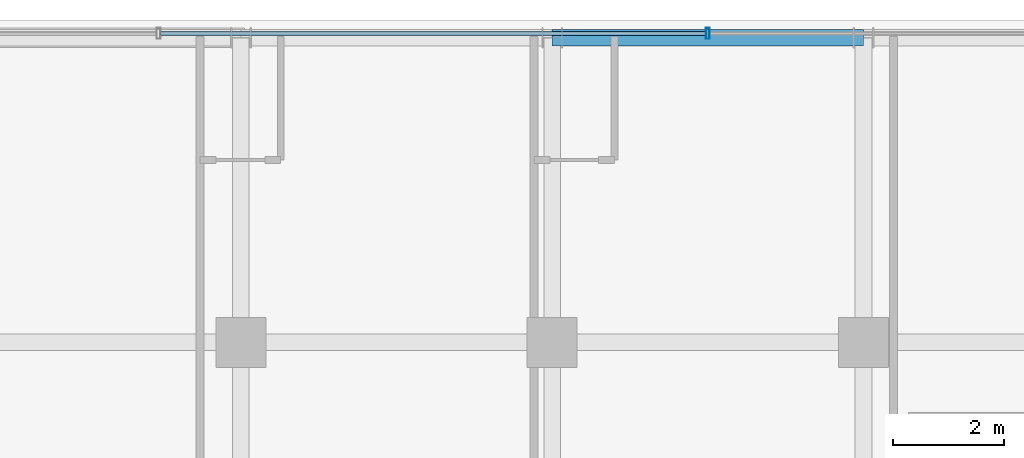
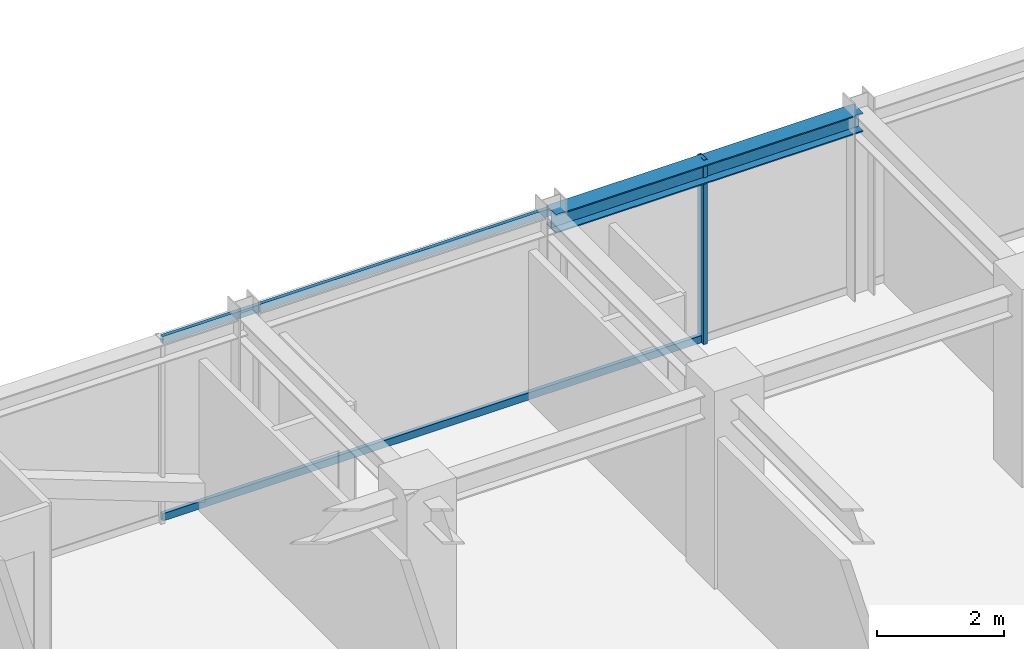
# One storey, part 25 of 37: 3 members, 1 beam, 1 element without a shape of its own.
"""IFC4 building model written with IfcOpenShell, lengths in metres."""

import ifcopenshell
import ifcopenshell.guid

model = None  # the IFC model being written
_history = None  # IfcOwnerHistory: only IFC2X3 demands one
_inside = {}  # id of a spatial element -> (the spatial element, [elements in it])
_under = {}  # id of a project, library or spatial element -> (it, [spatial elements below it])
_declared = {}  # id of a project -> (the project, [libraries it declares])
_typed = {}  # id of a type object -> (the type object, [elements of that type])
_made_of = {}  # id of a material, layer set ... -> (it, [elements and type objects made of it])


def new_model(schema):
    """Start an empty IFC model of exactly this schema.

    Asked for "IFC4X3", IfcOpenShell would pick the latest addendum, in which some entities
    have other attributes; the version numbers below select the first issue.
    IFC2X3 requires an IfcOwnerHistory on every rooted entity: one is made here for all.
    """
    global model, _history
    if schema == "IFC4X3":
        model = ifcopenshell.file(schema_version=(4, 3, 0, 0))
    else:
        model = ifcopenshell.file(schema=schema)
    _inside.clear()
    _under.clear()
    _declared.clear()
    _typed.clear()
    _made_of.clear()
    _history = None
    if model.schema == "IFC2X3":
        org = make("IfcOrganization", Name="unknown")
        user = make(
            "IfcPersonAndOrganization",
            ThePerson=make("IfcPerson", FamilyName="unknown"),
            TheOrganization=org,
        )
        app = make(
            "IfcApplication",
            ApplicationDeveloper=org,
            Version="unknown",
            ApplicationFullName="unknown",
            ApplicationIdentifier="unknown",
        )
        _history = make(
            "IfcOwnerHistory",
            OwningUser=user,
            OwningApplication=app,
            ChangeAction="ADDED",
            CreationDate=0,
        )
    return model


def make(cls, **values):
    """One entity of the class cls with the attributes given. An attribute that is None is left unset."""
    return model.create_entity(
        cls, **{name: value for name, value in values.items() if value is not None}
    )


def rooted(cls, **values):
    """An entity with a GlobalId (a new one), such as an element, a storey or a relation."""
    return make(cls, GlobalId=ifcopenshell.guid.new(), OwnerHistory=_history, **values)


def si_unit(unit_type, name, prefix=None):
    """IfcSIUnit, for example si_unit("LENGTHUNIT", "METRE", prefix="MILLI")."""
    return make("IfcSIUnit", UnitType=unit_type, Prefix=prefix, Name=name)


def assignment(units):
    """IfcUnitAssignment: the units of a project."""
    return None if units is None else make("IfcUnitAssignment", Units=units)


def point(xyz):
    """IfcCartesianPoint."""
    return None if xyz is None else make("IfcCartesianPoint", Coordinates=xyz)


def direction(xyz):
    """IfcDirection."""
    return None if xyz is None else make("IfcDirection", DirectionRatios=xyz)


def frame(location, z_axis=None, x_axis=None):
    """IfcAxis2Placement3D, a coordinate frame: its origin and axes. An axis left out is left unset."""
    return make(
        "IfcAxis2Placement3D",
        Location=point(location),
        Axis=direction(z_axis),
        RefDirection=direction(x_axis),
    )


def frame_2d(location, x_axis=None):
    """IfcAxis2Placement2D, a coordinate frame in the plane: its origin and x axis."""
    return make(
        "IfcAxis2Placement2D", Location=point(location), RefDirection=direction(x_axis)
    )


def origin():
    """The frame at (0, 0, 0) with its axes left unset."""
    return frame((0.0, 0.0, 0.0))


def origin_2d():
    """The frame at (0, 0) in the plane with its x axis left unset."""
    return frame_2d((0.0, 0.0))


def place(relative_to, where):
    """IfcLocalPlacement: puts the frame where relative to a parent placement (None: the world)."""
    return make(
        "IfcLocalPlacement", PlacementRelTo=relative_to, RelativePlacement=where
    )


def context(
    kind, dimensions, precision=None, world=None, true_north=None, identifier=None
):
    """IfcGeometricRepresentationContext, for example the 3D "Model" context."""
    return make(
        "IfcGeometricRepresentationContext",
        ContextIdentifier=identifier,
        ContextType=kind,
        CoordinateSpaceDimension=dimensions,
        Precision=precision,
        WorldCoordinateSystem=world,
        TrueNorth=true_north,
    )


def subcontext(parent, identifier, kind, view, scale=None):
    """IfcGeometricRepresentationSubContext, for example "Body" below "Model"."""
    return make(
        "IfcGeometricRepresentationSubContext",
        ContextIdentifier=identifier,
        ContextType=kind,
        ParentContext=parent,
        TargetScale=scale,
        TargetView=view,
    )


def project(units=None, contexts=None):
    """IfcProject with its units and contexts."""
    return rooted(
        "IfcProject",
        Name="project",
        RepresentationContexts=contexts,
        UnitsInContext=assignment(units),
    )


def spatial(cls, under=None, at=None, **own):
    """A site, building, storey or space (cls), placed at a placement, below another one or the project."""
    s = rooted(cls, ObjectPlacement=at, **own)
    if under is not None:
        _under.setdefault(under.id(), (under, []))[1].append(s)
    return s


def profile(cls, at=None, kind="AREA", **sizes):
    """A parametric profile (cls). Its sizes go by their IFC names, for example OverallWidth=200.0."""
    return make(cls, ProfileType=kind, Position=at, **sizes)


def hollow_rectangle(**sizes):
    """IfcRectangleHollowProfileDef."""
    return profile("IfcRectangleHollowProfileDef", **sizes)


def i_section(**sizes):
    """IfcIShapeProfileDef."""
    return profile("IfcIShapeProfileDef", **sizes)


def extrude(swept, where, along, depth):
    """IfcExtrudedAreaSolid: the profile swept, set in the frame where, extruded along a direction by depth."""
    return make(
        "IfcExtrudedAreaSolid",
        SweptArea=swept,
        Position=where,
        ExtrudedDirection=direction(along),
        Depth=depth,
    )


def shape(context_of_items, identifier, shape_type, items):
    """IfcShapeRepresentation: the items that make up one representation, for example the "Body"."""
    return make(
        "IfcShapeRepresentation",
        ContextOfItems=context_of_items,
        RepresentationIdentifier=identifier,
        RepresentationType=shape_type,
        Items=items,
    )


def source(mapping_origin, context_of_items, identifier, shape_type, items):
    """IfcRepresentationMap: a shape defined once, which mapped items show again and again."""
    return make(
        "IfcRepresentationMap",
        MappingOrigin=mapping_origin,
        MappedRepresentation=shape(context_of_items, identifier, shape_type, items),
    )


def transform(
    local_origin,
    x_axis=None,
    y_axis=None,
    z_axis=None,
    scale=None,
    scale2=None,
    scale3=None,
    uniform=True,
):
    """IfcCartesianTransformationOperator3D, or its non-uniform kind. x_axis, y_axis, z_axis: its Axis1, 2, 3."""
    if uniform:
        return make(
            "IfcCartesianTransformationOperator3D",
            Axis1=direction(x_axis),
            Axis2=direction(y_axis),
            LocalOrigin=point(local_origin),
            Scale=scale,
            Axis3=direction(z_axis),
        )
    return make(
        "IfcCartesianTransformationOperator3DnonUniform",
        Axis1=direction(x_axis),
        Axis2=direction(y_axis),
        LocalOrigin=point(local_origin),
        Scale=scale,
        Axis3=direction(z_axis),
        Scale2=scale2,
        Scale3=scale3,
    )


def mapped(mapping_source, mapping_target):
    """IfcMappedItem: shows the shape of a source again, moved by a transform."""
    return make(
        "IfcMappedItem", MappingSource=mapping_source, MappingTarget=mapping_target
    )


def material(Name=None, Category=None):
    """IfcMaterial."""
    return make("IfcMaterial", Name=Name, Category=Category)


def material_profile(
    of_material, cross_section, Name=None, Category=None, Priority=None
):
    """IfcMaterialProfile: a cross section and its material."""
    return make(
        "IfcMaterialProfile",
        Name=Name,
        Material=of_material,
        Profile=cross_section,
        Priority=Priority,
        Category=Category,
    )


def profile_set(profiles, Name=None, composite=None):
    """IfcMaterialProfileSet."""
    return make(
        "IfcMaterialProfileSet",
        Name=Name,
        MaterialProfiles=profiles,
        CompositeProfile=composite,
    )


def made_of(thing, what):
    """Note that an element or type object is made of a material, layer set ...; save() writes the relation."""
    if what is not None:
        _made_of.setdefault(what.id(), (what, []))[1].append(thing)
    return thing


def type_object(cls, material=None, **own):
    """A type object (cls), such as IfcWallType, which elements share."""
    return made_of(rooted(cls, **own), material)


def element(
    cls,
    number,
    at=None,
    inside=None,
    cuts=None,
    type_object=None,
    material=None,
    context=None,
    identifier="Body",
    shape_type=None,
    held_by="IfcProductDefinitionShape",
    body=None,
    shapes=None,
    **own,
):
    """One element of the class cls, such as IfcWall. Its Tag is "e" and its number.

    at: its placement. inside: the storey or other place that contains it. cuts: it is an
    opening in that element (IfcRelVoidsElement). A single representation is given by context,
    identifier, shape_type and body (its items); several are given by shapes. held_by: the class
    of the entity that holds the representations. save() writes the other relations.
    """
    e = rooted(cls, Tag="e%d" % number, ObjectPlacement=at, **own)
    if body is not None:
        shapes = [shape(context, identifier, shape_type, body)]
    if shapes is not None:
        e.Representation = make(held_by, Representations=shapes)
    if inside is not None:
        _inside.setdefault(inside.id(), (inside, []))[1].append(e)
    if cuts is not None:
        rooted(
            "IfcRelVoidsElement", RelatingBuildingElement=cuts, RelatedOpeningElement=e
        )
    if type_object is not None:
        _typed.setdefault(type_object.id(), (type_object, []))[1].append(e)
    return made_of(e, material)


def aggregate(whole, parts):
    """IfcRelAggregates: a whole, such as a stair, and the parts it consists of."""
    return rooted("IfcRelAggregates", RelatingObject=whole, RelatedObjects=parts)


def save(model, path):
    """Write the relations noted so far, then the file.

    IfcRelAggregates (storeys below a building ...), IfcRelContainedInSpatialStructure (elements
    in a storey), IfcRelDefinesByType, IfcRelAssociatesMaterial and IfcRelDeclares: one each for
    every whole, place, type object, material and project.
    """
    for whole, parts in _under.values():
        aggregate(whole, parts)
    for where, things in _inside.values():
        rooted(
            "IfcRelContainedInSpatialStructure",
            RelatedElements=things,
            RelatingStructure=where,
        )
    for kind, things in _typed.values():
        rooted("IfcRelDefinesByType", RelatedObjects=things, RelatingType=kind)
    for what, things in _made_of.values():
        rooted("IfcRelAssociatesMaterial", RelatedObjects=things, RelatingMaterial=what)
    for by, libraries in _declared.values():
        rooted("IfcRelDeclares", RelatingContext=by, RelatedDefinitions=libraries)
    model.write(path)


model = new_model("IFC4")

# Units and contexts
model_context = context("Model", 3, precision=1e-05, world=origin(), true_north=direction((0.0, 1.0)))
body_context = subcontext(model_context, "Body", "Model", "MODEL_VIEW")
ifc_project = project(units=[si_unit("LENGTHUNIT", "METRE"), si_unit("AREAUNIT", "SQUARE_METRE"), si_unit("VOLUMEUNIT", "CUBIC_METRE"), si_unit("PLANEANGLEUNIT", "RADIAN"), si_unit("MASSUNIT", "GRAM", prefix="KILO")], contexts=[model_context])

# Site, building, storey
site_placement = place(None, origin())
site = spatial("IfcSite", under=ifc_project, at=site_placement, CompositionType="ELEMENT")
building_placement = place(site_placement, origin())
building = spatial("IfcBuilding", under=site, at=building_placement, Name="Nahalor Promenade Grand Hotel", CompositionType="ELEMENT")
storey_placement = place(building_placement, frame((0.0, 0.0, 292.64990234375)))
storey = spatial("IfcBuildingStorey", under=building, at=storey_placement, Name="L75", CompositionType="ELEMENT", Elevation=292.64990234375)

# Beam
ifc_material_1 = material(Name="Steel S355JR", Category="steel")
ifc_material_profile_1 = material_profile(ifc_material_1, i_section(OverallWidth=0.3, OverallDepth=0.36, WebThickness=0.0125, FlangeThickness=0.0225, at=origin_2d()), Name="HEB 360")
ifc_profile_set_1 = profile_set([ifc_material_profile_1], Name="Steel S355JR")
beam_type = type_object("IfcBeamType", Name="Beam-Spandrel-HEB360", PredefinedType="SPANDREL", material=ifc_profile_set_1)
shared_shape_1 = source(origin(), body_context, "Body", "SweptSolid", [
    extrude(i_section(OverallWidth=0.3, OverallDepth=0.36, WebThickness=0.0125, FlangeThickness=0.0225, at=origin_2d()), origin(), (0.0, 0.0, 1.0), 5.60009765625),
])
beam_placement = place(storey_placement, frame((-2.800048828125, 22.47998046875, 3.3701171875), z_axis=(1.0, 0.0, 0.0), x_axis=(0.0, 1.0, 0.0)))
element("IfcBeam", 1, at=beam_placement, inside=storey, type_object=beam_type, Name="BM-L75-SP-N-2", PredefinedType="SPANDREL", context=body_context, shape_type="MappedRepresentation", body=[
    mapped(shared_shape_1, transform((0.0, 0.0, 0.0), scale=1.0)),
])

# Curtain wall, members
ifc_material_2 = material(Name="Anodised Bronze Aluminium EN AW-6063 T6", Category="aluminium")
curtain_wall_type = type_object("IfcCurtainWallType", Name="CW3 Elliptical-Void Collar Unitised Curtain Wall", PredefinedType="USERDEFINED", material=ifc_material_2)
curtain_wall_placement = place(storey_placement, origin())
curtain_wall = element("IfcCurtainWall", 2, at=curtain_wall_placement, inside=storey, type_object=curtain_wall_type, Name="L75 Curtain Wall CW-L75-N-1", ObjectType="UNITISED_CURTAIN_WALL", PredefinedType="USERDEFINED")
ifc_material_profile_2 = material_profile(ifc_material_2, hollow_rectangle(XDim=0.07, YDim=0.14, WallThickness=0.004, at=origin_2d()), Name="CWT 70x140x4")
ifc_profile_set_2 = profile_set([ifc_material_profile_2], Name="Anodised Bronze Aluminium EN AW-6063 T6")
member_type_1 = type_object("IfcMemberType", Name="CWT3 Void Collar Transom 70x140", PredefinedType="USERDEFINED", material=ifc_profile_set_2)
shared_shape_2 = source(origin(), body_context, "Body", "SweptSolid", [
    extrude(hollow_rectangle(XDim=0.07, YDim=0.14, WallThickness=0.004, at=origin_2d()), origin(), (0.0, 0.0, 1.0), 9.81005859375),
])
member_1_placement = place(storey_placement, frame((-9.844970703125, 22.56005859375, 0.070068359375), z_axis=(1.0, 0.0, 0.0), x_axis=(0.0, 1.0, 0.0)))
member_1 = element("IfcMember", 3, at=member_1_placement, type_object=member_type_1, Name="CW-L75-N-1 Transom 1-0", ObjectType="TRANSOM", PredefinedType="USERDEFINED", context=body_context, shape_type="MappedRepresentation", body=[
    mapped(shared_shape_2, transform((0.0, 0.0, 0.0), scale=1.0)),
])
member_2_placement = place(storey_placement, frame((-9.844970703125, 22.56005859375, 3.47998046875), z_axis=(1.0, 0.0, 0.0), x_axis=(0.0, 1.0, 0.0)))
member_2 = element("IfcMember", 4, at=member_2_placement, type_object=member_type_1, Name="CW-L75-N-1 Transom 1-1", ObjectType="TRANSOM", PredefinedType="USERDEFINED", context=body_context, shape_type="MappedRepresentation", body=[
    mapped(shared_shape_2, transform((0.0, 0.0, 0.0), scale=1.0)),
])
ifc_material_profile_3 = material_profile(ifc_material_2, hollow_rectangle(XDim=0.07, YDim=0.2, WallThickness=0.005, at=origin_2d()), Name="CWM 70x200x5")
ifc_profile_set_3 = profile_set([ifc_material_profile_3], Name="Anodised Bronze Aluminium EN AW-6063 T6")
member_type_2 = type_object("IfcMemberType", Name="CWM3 Void Collar Mullion 70x200", PredefinedType="MULLION", material=ifc_profile_set_3)
shared_shape_3 = source(origin(), body_context, "Body", "SweptSolid", [
    extrude(hollow_rectangle(XDim=0.07, YDim=0.2, WallThickness=0.005, at=origin_2d()), origin(), (0.0, 0.0, 1.0), 3.550048828125),
])
member_3_placement = place(storey_placement, frame((0.0, 22.56005859375, 0.0), z_axis=(0.0, 0.0, 1.0), x_axis=(1.0, 0.0, 0.0)))
member_3 = element("IfcMember", 5, at=member_3_placement, type_object=member_type_2, Name="CW-L75-N-1 Mullion 2", PredefinedType="MULLION", context=body_context, shape_type="MappedRepresentation", body=[
    mapped(shared_shape_3, transform((0.0, 0.0, 0.0), scale=1.0)),
])
aggregate(curtain_wall, [member_3, member_1, member_2])

save(model, "model.ifc")
